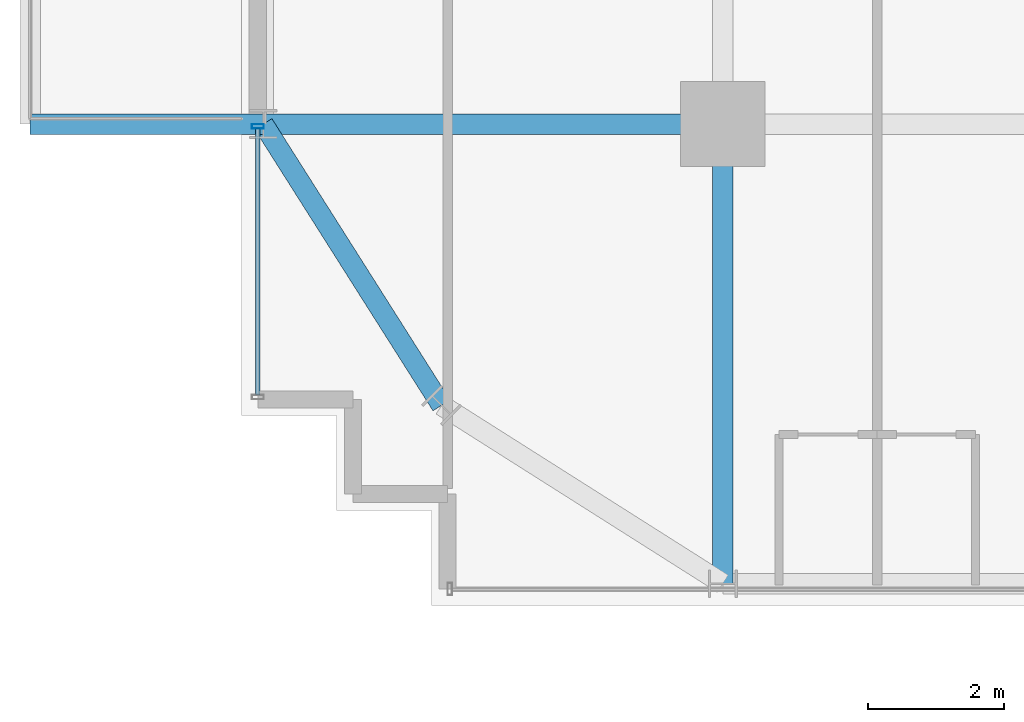
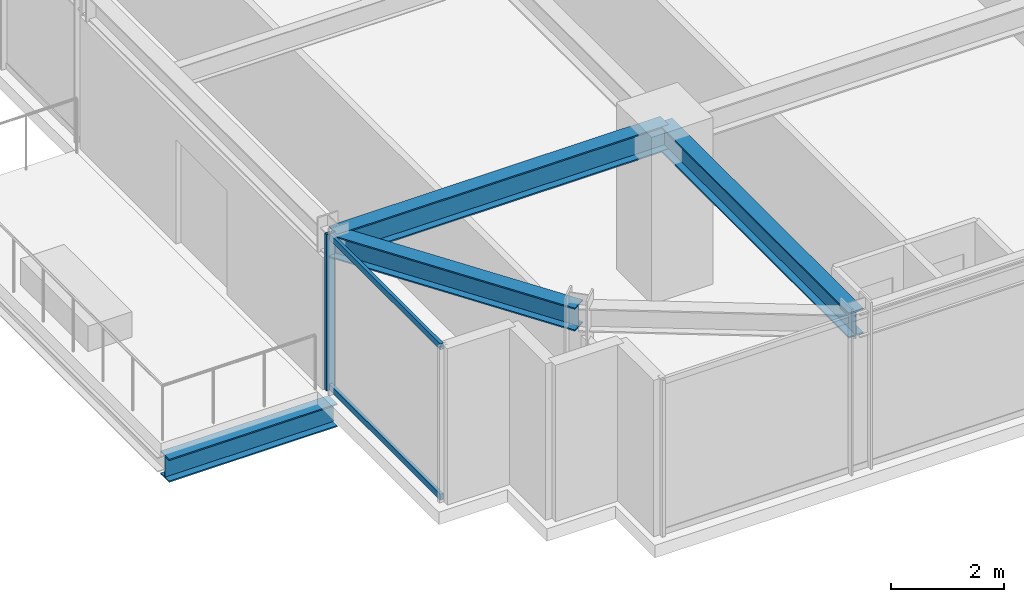
# One storey, part 3 of 31: 4 beams, 3 members, 1 element without a shape of its own.
"""IFC4 building model written with IfcOpenShell, lengths in metres."""

from ifc_helpers import new_model, si_unit, direction, frame, origin, origin_2d, place, context, subcontext, project, spatial, hollow_rectangle, i_section, extrude, source, transform, mapped, material, material_profile, profile_set, type_object, element, aggregate, save


model = new_model("IFC4")

# Units and contexts
model_context = context("Model", 3, precision=1e-05, world=origin(), true_north=direction((0.0, 1.0)))
body_context = subcontext(model_context, "Body", "Model", "MODEL_VIEW")
ifc_project = project(units=[si_unit("LENGTHUNIT", "METRE"), si_unit("AREAUNIT", "SQUARE_METRE"), si_unit("VOLUMEUNIT", "CUBIC_METRE"), si_unit("PLANEANGLEUNIT", "RADIAN"), si_unit("MASSUNIT", "GRAM", prefix="KILO")], contexts=[model_context])

# Site, building, storey
site_placement = place(None, origin())
site = spatial("IfcSite", under=ifc_project, at=site_placement, CompositionType="ELEMENT")
building_placement = place(site_placement, origin())
building = spatial("IfcBuilding", under=site, at=building_placement, Name="Nahalor Promenade Grand Hotel", CompositionType="ELEMENT")
storey_placement = place(building_placement, frame((0.0, 0.0, 95.60009765625)))
storey = spatial("IfcBuildingStorey", under=building, at=storey_placement, Name="L23", CompositionType="ELEMENT", Elevation=95.60009765625)

# Beams
ifc_material_1 = material(Name="Steel S355JR", Category="steel")
ifc_material_profile_1 = material_profile(ifc_material_1, i_section(OverallWidth=0.3, OverallDepth=0.5, WebThickness=0.0145, FlangeThickness=0.028, at=origin_2d()), Name="HEB 500")
ifc_profile_set_1 = profile_set([ifc_material_profile_1], Name="Steel S355JR")
beam_type_1 = type_object("IfcBeamType", Name="Beam-Outrigger-HEB500", PredefinedType="BEAM", material=ifc_profile_set_1)
shared_shape_1 = source(origin(), body_context, "Body", "SweptSolid", [
    extrude(i_section(OverallWidth=0.3, OverallDepth=0.5, WebThickness=0.0145, FlangeThickness=0.028, at=origin_2d()), origin(), (0.0, 0.0, 1.0), 3.43994140625),
])
beam_1_placement = place(storey_placement, frame((-27.219970703125, -17.0, -0.530029296875), z_axis=(1.0, 0.0, 0.0), x_axis=(0.0, 1.0, 0.0)))
element("IfcBeam", 1, at=beam_1_placement, inside=storey, type_object=beam_type_1, Name="BM-L23-BC-02-1", PredefinedType="BEAM", context=body_context, shape_type="MappedRepresentation", body=[
    mapped(shared_shape_1, transform((0.0, 0.0, 0.0), scale=1.0)),
])
ifc_material_profile_2 = material_profile(ifc_material_1, i_section(OverallWidth=0.3, OverallDepth=0.5, WebThickness=0.0145, FlangeThickness=0.028, at=origin_2d()), Name="HEB 500")
ifc_profile_set_2 = profile_set([ifc_material_profile_2], Name="Steel S355JR")
beam_type_2 = type_object("IfcBeamType", Name="Beam-Spandrel-HEB500", PredefinedType="SPANDREL", material=ifc_profile_set_2)
shared_shape_2 = source(origin(), body_context, "Body", "SweptSolid", [
    extrude(i_section(OverallWidth=0.3, OverallDepth=0.5, WebThickness=0.0145, FlangeThickness=0.028, at=origin_2d()), origin(), (0.0, 0.0, 1.0), 4.9130859375),
])
beam_2_placement = place(storey_placement, frame((-21.14990234375, -21.14990234375, 3.1298828125), z_axis=(-0.535321591403, 0.844648325505, 0.0), x_axis=(-0.844648325505, -0.535321591403, 0.0)))
element("IfcBeam", 2, at=beam_2_placement, inside=storey, type_object=beam_type_2, Name="BM-L23-SPC-SW-2", PredefinedType="SPANDREL", context=body_context, shape_type="MappedRepresentation", body=[
    mapped(shared_shape_2, transform((0.0, 0.0, 0.0), scale=1.0)),
])
ifc_material_profile_3 = material_profile(ifc_material_1, i_section(OverallWidth=0.3, OverallDepth=0.55, WebThickness=0.015, FlangeThickness=0.029, at=origin_2d()), Name="HEB 550")
ifc_profile_set_3 = profile_set([ifc_material_profile_3], Name="Steel S355JR")
beam_type_3 = type_object("IfcBeamType", Name="Beam-Girder-HEB550", PredefinedType="BEAM", material=ifc_profile_set_3)
shared_shape_3 = source(origin(), body_context, "Body", "SweptSolid", [
    extrude(i_section(OverallWidth=0.3, OverallDepth=0.55, WebThickness=0.015, FlangeThickness=0.029, at=origin_2d()), origin(), (0.0, 0.0, 1.0), 6.780029296875),
])
for number, where, z_axis, x_axis, name in (
    (3, (-23.780029296875, -17.0, 3.10498046875), (1.0, 0.0, 0.0), (0.0, 1.0, 0.0), "BM-L23-GX-0-0"),
    (4, (-17.0, -23.780029296875, 3.10498046875), (0.0, 1.0, 0.0), (-1.0, 0.0, 0.0), "BM-L23-GY-0-0"),
):
    element("IfcBeam", number, at=place(storey_placement, frame(where, z_axis=z_axis, x_axis=x_axis)), inside=storey, type_object=beam_type_3, Name=name, PredefinedType="BEAM", context=body_context, shape_type="MappedRepresentation", body=[
        mapped(shared_shape_3, transform((0.0, 0.0, 0.0), scale=1.0)),
    ])

# Curtain wall, members
ifc_material_2 = material(Name="Anodised Bronze Aluminium EN AW-6063 T6", Category="aluminium")
curtain_wall_type = type_object("IfcCurtainWallType", Name="CW2 Typical Hotel Flush Bronze Unitised Curtain Wall", PredefinedType="USERDEFINED", material=ifc_material_2)
curtain_wall_placement = place(storey_placement, origin())
curtain_wall = element("IfcCurtainWall", 5, at=curtain_wall_placement, inside=storey, type_object=curtain_wall_type, Name="L23 Curtain Wall CW-L23-W-1", ObjectType="UNITISED_CURTAIN_WALL", PredefinedType="USERDEFINED")
ifc_material_profile_4 = material_profile(ifc_material_2, hollow_rectangle(XDim=0.065, YDim=0.18, WallThickness=0.004, at=origin_2d()), Name="CWM 65x180x4")
ifc_profile_set_4 = profile_set([ifc_material_profile_4], Name="Anodised Bronze Aluminium EN AW-6063 T6")
member_type_1 = type_object("IfcMemberType", Name="CWM2 Typical Bronze Mullion 65x180", PredefinedType="MULLION", material=ifc_profile_set_4)
shared_shape_4 = source(origin(), body_context, "Body", "SweptSolid", [
    extrude(hollow_rectangle(XDim=0.065, YDim=0.18, WallThickness=0.004, at=origin_2d()), origin(), (0.0, 0.0, 1.0), 3.3798828125),
])
member_1_placement = place(storey_placement, frame((-23.860107421875, -17.032470703125, 0.0), z_axis=(0.0, 0.0, 1.0), x_axis=(0.0, 1.0, 0.0)))
member_1 = element("IfcMember", 6, at=member_1_placement, type_object=member_type_1, Name="CW-L23-W-1 Mullion 1", PredefinedType="MULLION", context=body_context, shape_type="MappedRepresentation", body=[
    mapped(shared_shape_4, transform((0.0, 0.0, 0.0), scale=1.0)),
])
ifc_material_profile_5 = material_profile(ifc_material_2, hollow_rectangle(XDim=0.065, YDim=0.13, WallThickness=0.004, at=origin_2d()), Name="CWT 65x130x4")
ifc_profile_set_5 = profile_set([ifc_material_profile_5], Name="Anodised Bronze Aluminium EN AW-6063 T6")
member_type_2 = type_object("IfcMemberType", Name="CWT2 Typical Bronze Transom 65x130", PredefinedType="USERDEFINED", material=ifc_profile_set_5)
shared_shape_5 = source(origin(), body_context, "Body", "SweptSolid", [
    extrude(hollow_rectangle(XDim=0.065, YDim=0.13, WallThickness=0.004, at=origin_2d()), origin(), (0.0, 0.0, 1.0), 3.93017578125),
])
member_2_placement = place(storey_placement, frame((-23.860107421875, -20.9951171875, 0.06494140625), z_axis=(0.0, 1.0, 0.0), x_axis=(-1.0, 0.0, 0.0)))
member_2 = element("IfcMember", 7, at=member_2_placement, type_object=member_type_2, Name="CW-L23-W-1 Transom 0-0", ObjectType="TRANSOM", PredefinedType="USERDEFINED", context=body_context, shape_type="MappedRepresentation", body=[
    mapped(shared_shape_5, transform((0.0, 0.0, 0.0), scale=1.0)),
])
member_3_placement = place(storey_placement, frame((-23.860107421875, -20.9951171875, 3.31494140625), z_axis=(0.0, 1.0, 0.0), x_axis=(-1.0, 0.0, 0.0)))
member_3 = element("IfcMember", 8, at=member_3_placement, type_object=member_type_2, Name="CW-L23-W-1 Transom 0-1", ObjectType="TRANSOM", PredefinedType="USERDEFINED", context=body_context, shape_type="MappedRepresentation", body=[
    mapped(shared_shape_5, transform((0.0, 0.0, 0.0), scale=1.0)),
])
aggregate(curtain_wall, [member_1, member_2, member_3])

save(model, "model.ifc")
